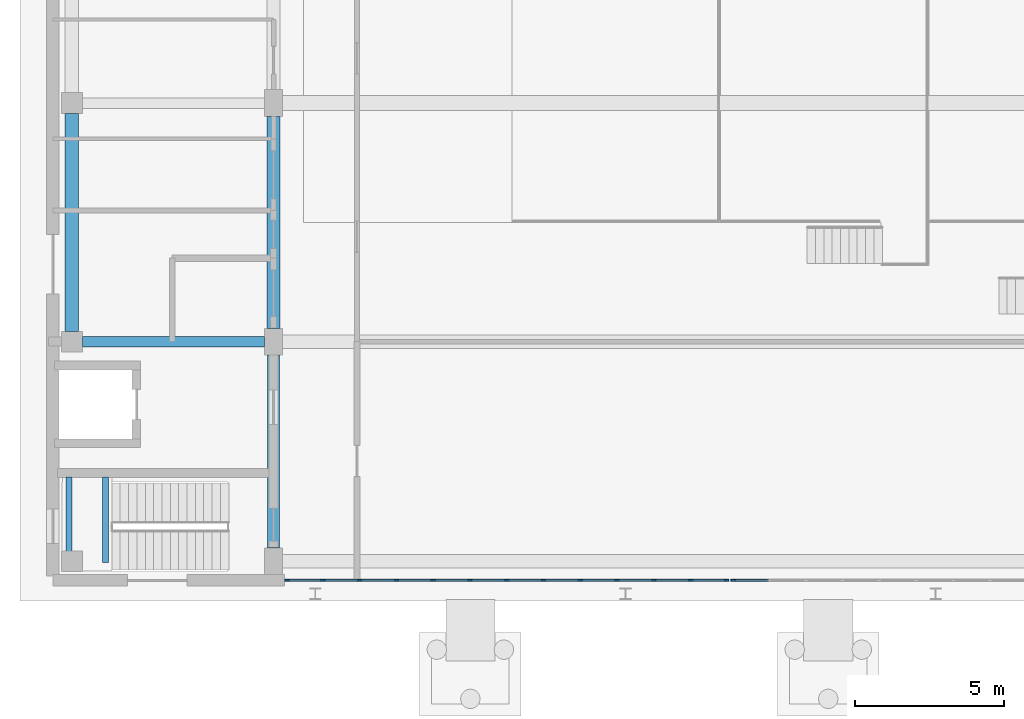
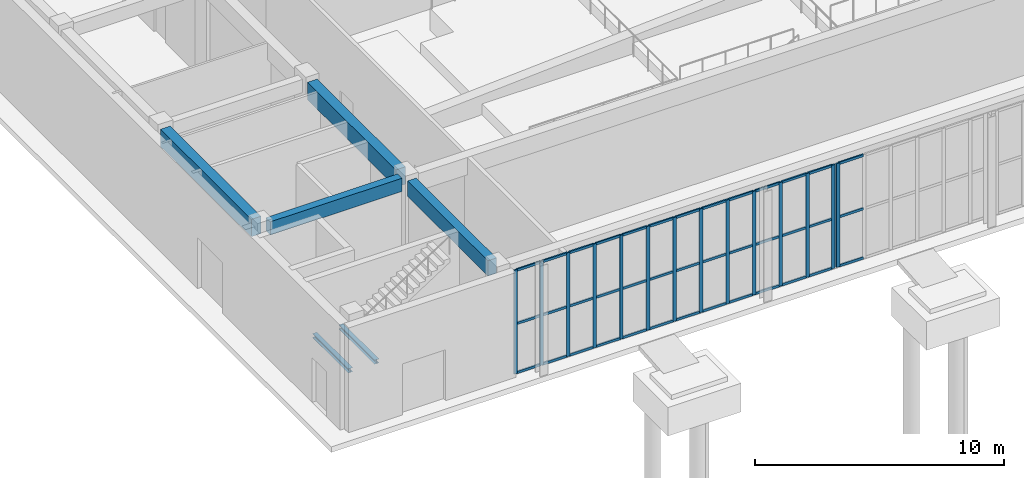
# One storey, part 5 of 46: 53 members, 6 beams, 2 elements without a shape of their own.
"""IFC4 building model written with IfcOpenShell, lengths in metres."""

from ifc_helpers import new_model, si_unit, direction, frame, origin, origin_2d, place, context, subcontext, project, spatial, rectangle, i_section, extrude, material, layer, layer_set, material_profile, profile_set, type_object, element, aggregate, save


model = new_model("IFC4")

# Units and contexts
model_context = context("Model", 3, precision=1e-05, world=origin(), true_north=direction((0.0, 1.0)))
body_context = subcontext(model_context, "Body", "Model", "MODEL_VIEW")
ifc_project = project(units=[si_unit("LENGTHUNIT", "METRE"), si_unit("AREAUNIT", "SQUARE_METRE"), si_unit("VOLUMEUNIT", "CUBIC_METRE"), si_unit("PLANEANGLEUNIT", "RADIAN"), si_unit("MASSUNIT", "GRAM", prefix="KILO")], contexts=[model_context])

# Site, building, storey
site_placement = place(None, origin())
site = spatial("IfcSite", under=ifc_project, at=site_placement, CompositionType="ELEMENT")
building_placement = place(site_placement, origin())
building = spatial("IfcBuilding", under=site, at=building_placement, Name="Cinchona Park Media Centre", CompositionType="ELEMENT")
storey_placement = place(building_placement, origin())
storey = spatial("IfcBuildingStorey", under=building, at=storey_placement, Name="L00", CompositionType="ELEMENT", Elevation=0.0)

# Beams
ifc_material_1 = material(Name="Concrete C35/45", Category="concrete")
ifc_material_profile_1 = material_profile(ifc_material_1, rectangle(XDim=0.39990234375, YDim=0.75, at=origin_2d()), Name="RB 400X750")
ifc_profile_set_1 = profile_set([ifc_material_profile_1], Name="Concrete C35/45")
beam_type_1 = type_object("IfcBeamType", Name="BEAM-B01-RB400X750", PredefinedType="BEAM", material=ifc_profile_set_1)
beam_1_placement = place(storey_placement, frame((15.39990234375, 8.68994140625, 4.764892578125), z_axis=(0.0, 1.0, 0.0), x_axis=(-1.0, 0.0, 0.0)))
element("IfcBeam", 1, at=beam_1_placement, inside=storey, type_object=beam_type_1, Name="Girder B01 L00", PredefinedType="BEAM", context=body_context, shape_type="SweptSolid", body=[
    extrude(rectangle(XDim=0.39990234375, YDim=0.75, at=origin_2d()), origin(), (0.0, 0.0, 1.0), 6.4599609375),
])
ifc_material_2 = material(Name="Concrete C35/45", Category="concrete")
ifc_material_profile_2 = material_profile(ifc_material_2, rectangle(XDim=0.449951171875, YDim=0.85009765625, at=origin_2d()), Name="RB 450X850")
ifc_profile_set_2 = profile_set([ifc_material_profile_2], Name="Concrete C35/45")
beam_type_2 = type_object("IfcBeamType", Name="BEAM-B02-RB450X850", PredefinedType="BEAM", material=ifc_profile_set_2)
beam_2_placement = place(storey_placement, frame((8.639892578125, 15.949951171875, 4.715087890625), z_axis=(0.0, 1.0, 0.0), x_axis=(-1.0, 0.0, 0.0)))
element("IfcBeam", 2, at=beam_2_placement, inside=storey, type_object=beam_type_2, Name="Girder B02 L00", PredefinedType="BEAM", context=body_context, shape_type="SweptSolid", body=[
    extrude(rectangle(XDim=0.449951171875, YDim=0.85009765625, at=origin_2d()), origin(), (0.0, 0.0, 1.0), 7.300048828125),
])
beam_3_placement = place(storey_placement, frame((15.39990234375, 16.050048828125, 4.715087890625), z_axis=(0.0, 1.0, 0.0), x_axis=(-1.0, 0.0, 0.0)))
element("IfcBeam", 3, at=beam_3_placement, inside=storey, type_object=beam_type_2, Name="Girder B02 L00", PredefinedType="BEAM", context=body_context, shape_type="SweptSolid", body=[
    extrude(rectangle(XDim=0.449951171875, YDim=0.85009765625, at=origin_2d()), origin(), (0.0, 0.0, 1.0), 7.099853515625),
])
ifc_material_3 = material(Name="Concrete C35/45", Category="concrete")
ifc_material_profile_3 = material_profile(ifc_material_3, rectangle(XDim=0.35009765625, YDim=0.64990234375, at=origin_2d()), Name="RB 350X650")
ifc_profile_set_3 = profile_set([ifc_material_profile_3], Name="Concrete C35/45")
beam_type_3 = type_object("IfcBeamType", Name="BEAM-B04-RB350X650", PredefinedType="BEAM", material=ifc_profile_set_3)
beam_4_placement = place(storey_placement, frame((8.989990234375, 15.60009765625, 4.81494140625), z_axis=(1.0, 0.0, 0.0), x_axis=(0.0, 1.0, 0.0)))
element("IfcBeam", 4, at=beam_4_placement, inside=storey, type_object=beam_type_3, Name="Beam B04 L00", PredefinedType="BEAM", context=body_context, shape_type="SweptSolid", body=[
    extrude(rectangle(XDim=0.35009765625, YDim=0.64990234375, at=origin_2d()), origin(), (0.0, 0.0, 1.0), 6.110107421875),
])
ifc_material_4 = material(Name="Steel S355", Category="steel")
ifc_material_profile_4 = material_profile(ifc_material_4, i_section(OverallWidth=0.202880859375, OverallDepth=0.202880859375, WebThickness=0.007080078125, FlangeThickness=0.010986328125, at=origin_2d()), Name="W200X46")
ifc_profile_set_4 = profile_set([ifc_material_profile_4], Name="Steel S355")
beam_type_4 = type_object("IfcBeamType", Name="BEAM-B10-W200X46", PredefinedType="BEAM", material=ifc_profile_set_4)
for number, where, z_axis, x_axis, name in (
    (5, (8.5400390625, 11.070068359375, 2.3935546875), (0.0, -1.0, 0.0), (1.0, 0.0, 0.0), "Stair Landing Bearer Beam B10 ST6 L00"),
    (6, (9.760009765625, 11.070068359375, 2.3935546875), (0.0, -1.0, 0.0), (1.0, 0.0, 0.0), "Stair Landing Bearer Beam B10 ST6 L00"),
):
    element("IfcBeam", number, at=place(storey_placement, frame(where, z_axis=z_axis, x_axis=x_axis)), inside=storey, type_object=beam_type_4, Name=name, PredefinedType="BEAM", context=body_context, shape_type="SweptSolid", body=[
        extrude(i_section(OverallWidth=0.202880859375, OverallDepth=0.202880859375, WebThickness=0.007080078125, FlangeThickness=0.010986328125, at=origin_2d()), origin(), (0.0, 0.0, 1.0), 2.8701171875),
    ])

# Curtain wall, member
ifc_material_5 = material(Name="Aluminium Curtain Wall Framing", Category="aluminium")
ifc_layer_1 = layer(ifc_material_5, 0.179931640625)
ifc_layer_set_1 = layer_set([ifc_layer_1], Name="Aluminium Curtain Wall Framing")
curtain_wall_type_1 = type_object("IfcCurtainWallType", Name="CW-CW01", PredefinedType="USERDEFINED", material=ifc_layer_set_1)
curtain_wall_1_placement = place(storey_placement, origin())
curtain_wall_1 = element("IfcCurtainWall", 7, at=curtain_wall_1_placement, inside=storey, type_object=curtain_wall_type_1, Name="Curtain Wall CW01 L00", ObjectType="UNITISED CURTAIN WALL", PredefinedType="USERDEFINED")
ifc_material_6 = material(Name="Anodised Aluminium Alloy 6063-T6", Category="aluminium")
ifc_material_profile_5 = material_profile(ifc_material_6, rectangle(XDim=0.06494140625, YDim=0.159912109375, at=origin_2d()), Name="MUL-65X160")
ifc_profile_set_5 = profile_set([ifc_material_profile_5], Name="Anodised Aluminium Alloy 6063-T6")
member_type_1 = type_object("IfcMemberType", Name="MULLION-MUL01", PredefinedType="MULLION", material=ifc_profile_set_5)
member_1_placement = place(storey_placement, frame((30.8125, 7.60009765625, 0.050048828125), z_axis=(0.0, 0.0, 1.0), x_axis=(0.0, -1.0, 0.0)))
member_1 = element("IfcMember", 8, at=member_1_placement, type_object=member_type_1, Name="CW01 mullion 13", PredefinedType="MULLION", context=body_context, shape_type="SweptSolid", body=[
    extrude(rectangle(XDim=0.06494140625, YDim=0.159912109375, at=origin_2d()), origin(), (0.0, 0.0, 1.0), 5.08984375),
])

# Curtain wall, members
ifc_material_7 = material(Name="Aluminium Curtain Wall Framing", Category="aluminium")
ifc_layer_2 = layer(ifc_material_7, 0.195068359375)
ifc_layer_set_2 = layer_set([ifc_layer_2], Name="Aluminium Curtain Wall Framing")
curtain_wall_type_2 = type_object("IfcCurtainWallType", Name="CW-CW02", PredefinedType="USERDEFINED", material=ifc_layer_set_2)
curtain_wall_2_placement = place(storey_placement, origin())
curtain_wall_2 = element("IfcCurtainWall", 9, at=curtain_wall_2_placement, inside=storey, type_object=curtain_wall_type_2, Name="Curtain Wall CW02 L00", ObjectType="UNITISED CURTAIN WALL", PredefinedType="USERDEFINED")
member_2_placement = place(storey_placement, frame((30.58740234375, 7.60009765625, 0.050048828125), z_axis=(0.0, 0.0, 1.0), x_axis=(0.0, -1.0, 0.0)))
member_2 = element("IfcMember", 10, at=member_2_placement, type_object=member_type_1, Name="CW02 mullion 1", PredefinedType="MULLION", context=body_context, shape_type="SweptSolid", body=[
    extrude(rectangle(XDim=0.06494140625, YDim=0.159912109375, at=origin_2d()), origin(), (0.0, 0.0, 1.0), 5.08984375),
])
member_3_placement = place(storey_placement, frame((29.38671875, 7.60009765625, 0.050048828125), z_axis=(0.0, 0.0, 1.0), x_axis=(0.0, -1.0, 0.0)))
member_3 = element("IfcMember", 11, at=member_3_placement, type_object=member_type_1, Name="CW02 mullion 2", PredefinedType="MULLION", context=body_context, shape_type="SweptSolid", body=[
    extrude(rectangle(XDim=0.06494140625, YDim=0.159912109375, at=origin_2d()), origin(), (0.0, 0.0, 1.0), 5.08984375),
])
member_4_placement = place(storey_placement, frame((28.1533203125, 7.60009765625, 0.050048828125), z_axis=(0.0, 0.0, 1.0), x_axis=(0.0, -1.0, 0.0)))
member_4 = element("IfcMember", 12, at=member_4_placement, type_object=member_type_1, Name="CW02 mullion 3", PredefinedType="MULLION", context=body_context, shape_type="SweptSolid", body=[
    extrude(rectangle(XDim=0.06494140625, YDim=0.159912109375, at=origin_2d()), origin(), (0.0, 0.0, 1.0), 5.08984375),
])
member_5_placement = place(storey_placement, frame((26.919921875, 7.60009765625, 0.050048828125), z_axis=(0.0, 0.0, 1.0), x_axis=(0.0, -1.0, 0.0)))
member_5 = element("IfcMember", 13, at=member_5_placement, type_object=member_type_1, Name="CW02 mullion 4", PredefinedType="MULLION", context=body_context, shape_type="SweptSolid", body=[
    extrude(rectangle(XDim=0.06494140625, YDim=0.159912109375, at=origin_2d()), origin(), (0.0, 0.0, 1.0), 5.08984375),
])
member_6_placement = place(storey_placement, frame((25.686767578125, 7.60009765625, 0.050048828125), z_axis=(0.0, 0.0, 1.0), x_axis=(0.0, -1.0, 0.0)))
member_6 = element("IfcMember", 14, at=member_6_placement, type_object=member_type_1, Name="CW02 mullion 5", PredefinedType="MULLION", context=body_context, shape_type="SweptSolid", body=[
    extrude(rectangle(XDim=0.06494140625, YDim=0.159912109375, at=origin_2d()), origin(), (0.0, 0.0, 1.0), 5.08984375),
])
member_7_placement = place(storey_placement, frame((24.453369140625, 7.60009765625, 0.050048828125), z_axis=(0.0, 0.0, 1.0), x_axis=(0.0, -1.0, 0.0)))
member_7 = element("IfcMember", 15, at=member_7_placement, type_object=member_type_1, Name="CW02 mullion 6", PredefinedType="MULLION", context=body_context, shape_type="SweptSolid", body=[
    extrude(rectangle(XDim=0.06494140625, YDim=0.159912109375, at=origin_2d()), origin(), (0.0, 0.0, 1.0), 5.08984375),
])
member_8_placement = place(storey_placement, frame((23.219970703125, 7.60009765625, 0.050048828125), z_axis=(0.0, 0.0, 1.0), x_axis=(0.0, -1.0, 0.0)))
member_8 = element("IfcMember", 16, at=member_8_placement, type_object=member_type_1, Name="CW02 mullion 7", PredefinedType="MULLION", context=body_context, shape_type="SweptSolid", body=[
    extrude(rectangle(XDim=0.06494140625, YDim=0.159912109375, at=origin_2d()), origin(), (0.0, 0.0, 1.0), 5.08984375),
])
member_9_placement = place(storey_placement, frame((21.986572265625, 7.60009765625, 0.050048828125), z_axis=(0.0, 0.0, 1.0), x_axis=(0.0, -1.0, 0.0)))
member_9 = element("IfcMember", 17, at=member_9_placement, type_object=member_type_1, Name="CW02 mullion 8", PredefinedType="MULLION", context=body_context, shape_type="SweptSolid", body=[
    extrude(rectangle(XDim=0.06494140625, YDim=0.159912109375, at=origin_2d()), origin(), (0.0, 0.0, 1.0), 5.08984375),
])
member_10_placement = place(storey_placement, frame((20.75341796875, 7.60009765625, 0.050048828125), z_axis=(0.0, 0.0, 1.0), x_axis=(0.0, -1.0, 0.0)))
member_10 = element("IfcMember", 18, at=member_10_placement, type_object=member_type_1, Name="CW02 mullion 9", PredefinedType="MULLION", context=body_context, shape_type="SweptSolid", body=[
    extrude(rectangle(XDim=0.06494140625, YDim=0.159912109375, at=origin_2d()), origin(), (0.0, 0.0, 1.0), 5.08984375),
])
member_11_placement = place(storey_placement, frame((19.52001953125, 7.60009765625, 0.050048828125), z_axis=(0.0, 0.0, 1.0), x_axis=(0.0, -1.0, 0.0)))
member_11 = element("IfcMember", 19, at=member_11_placement, type_object=member_type_1, Name="CW02 mullion 10", PredefinedType="MULLION", context=body_context, shape_type="SweptSolid", body=[
    extrude(rectangle(XDim=0.06494140625, YDim=0.159912109375, at=origin_2d()), origin(), (0.0, 0.0, 1.0), 5.08984375),
])
member_12_placement = place(storey_placement, frame((18.28662109375, 7.60009765625, 0.050048828125), z_axis=(0.0, 0.0, 1.0), x_axis=(0.0, -1.0, 0.0)))
member_12 = element("IfcMember", 20, at=member_12_placement, type_object=member_type_1, Name="CW02 mullion 11", PredefinedType="MULLION", context=body_context, shape_type="SweptSolid", body=[
    extrude(rectangle(XDim=0.06494140625, YDim=0.159912109375, at=origin_2d()), origin(), (0.0, 0.0, 1.0), 5.08984375),
])
member_13_placement = place(storey_placement, frame((17.05322265625, 7.60009765625, 0.050048828125), z_axis=(0.0, 0.0, 1.0), x_axis=(0.0, -1.0, 0.0)))
member_13 = element("IfcMember", 21, at=member_13_placement, type_object=member_type_1, Name="CW02 mullion 12", PredefinedType="MULLION", context=body_context, shape_type="SweptSolid", body=[
    extrude(rectangle(XDim=0.06494140625, YDim=0.159912109375, at=origin_2d()), origin(), (0.0, 0.0, 1.0), 5.08984375),
])
member_14_placement = place(storey_placement, frame((15.8525390625, 7.60009765625, 0.050048828125), z_axis=(0.0, 0.0, 1.0), x_axis=(0.0, -1.0, 0.0)))
member_14 = element("IfcMember", 22, at=member_14_placement, type_object=member_type_1, Name="CW02 mullion 13", PredefinedType="MULLION", context=body_context, shape_type="SweptSolid", body=[
    extrude(rectangle(XDim=0.06494140625, YDim=0.159912109375, at=origin_2d()), origin(), (0.0, 0.0, 1.0), 5.08984375),
])

# Member
ifc_material_8 = material(Name="Anodised Aluminium Alloy 6063-T6", Category="aluminium")
ifc_material_profile_6 = material_profile(ifc_material_8, rectangle(XDim=0.06494140625, YDim=0.1201171875, at=origin_2d()), Name="TRN-65X120")
ifc_profile_set_6 = profile_set([ifc_material_profile_6], Name="Anodised Aluminium Alloy 6063-T6")
member_type_2 = type_object("IfcMemberType", Name="TRANSOM-TRN01", PredefinedType="USERDEFINED", material=ifc_profile_set_6)
member_15_placement = place(storey_placement, frame((31.980712890625, 7.60009765625, 0.08251953125), z_axis=(-1.0, 0.0, 0.0), x_axis=(0.0, -1.0, 0.0)))
member_15 = element("IfcMember", 23, at=member_15_placement, type_object=member_type_2, Name="CW01 transom 12.1", ObjectType="TRANSOM", PredefinedType="USERDEFINED", context=body_context, shape_type="SweptSolid", body=[
    extrude(rectangle(XDim=0.06494140625, YDim=0.1201171875, at=origin_2d()), origin(), (0.0, 0.0, 1.0), 1.1357421875),
])

member_16_placement = place(storey_placement, frame((31.980712890625, 7.60009765625, 2.492919921875), z_axis=(-1.0, 0.0, 0.0), x_axis=(0.0, -1.0, 0.0)))
member_16 = element("IfcMember", 24, at=member_16_placement, type_object=member_type_2, Name="CW01 transom 12.2", ObjectType="TRANSOM", PredefinedType="USERDEFINED", context=body_context, shape_type="SweptSolid", body=[
    extrude(rectangle(XDim=0.06494140625, YDim=0.1201171875, at=origin_2d()), origin(), (0.0, 0.0, 1.0), 1.1357421875),
])

member_17_placement = place(storey_placement, frame((31.980712890625, 7.60009765625, 5.107421875), z_axis=(-1.0, 0.0, 0.0), x_axis=(0.0, -1.0, 0.0)))
member_17 = element("IfcMember", 25, at=member_17_placement, type_object=member_type_2, Name="CW01 transom 12.3", ObjectType="TRANSOM", PredefinedType="USERDEFINED", context=body_context, shape_type="SweptSolid", body=[
    extrude(rectangle(XDim=0.06494140625, YDim=0.1201171875, at=origin_2d()), origin(), (0.0, 0.0, 1.0), 1.1357421875),
])

aggregate(curtain_wall_1, [member_1, member_15, member_16, member_17])

member_18_placement = place(storey_placement, frame((30.554931640625, 7.60009765625, 0.08251953125), z_axis=(-1.0, 0.0, 0.0), x_axis=(0.0, -1.0, 0.0)))
member_18 = element("IfcMember", 26, at=member_18_placement, type_object=member_type_2, Name="CW02 transom 1.1", ObjectType="TRANSOM", PredefinedType="USERDEFINED", context=body_context, shape_type="SweptSolid", body=[
    extrude(rectangle(XDim=0.06494140625, YDim=0.1201171875, at=origin_2d()), origin(), (0.0, 0.0, 1.0), 1.1357421875),
])

member_19_placement = place(storey_placement, frame((30.554931640625, 7.60009765625, 2.492919921875), z_axis=(-1.0, 0.0, 0.0), x_axis=(0.0, -1.0, 0.0)))
member_19 = element("IfcMember", 27, at=member_19_placement, type_object=member_type_2, Name="CW02 transom 1.2", ObjectType="TRANSOM", PredefinedType="USERDEFINED", context=body_context, shape_type="SweptSolid", body=[
    extrude(rectangle(XDim=0.06494140625, YDim=0.1201171875, at=origin_2d()), origin(), (0.0, 0.0, 1.0), 1.1357421875),
])

member_20_placement = place(storey_placement, frame((30.554931640625, 7.60009765625, 5.107421875), z_axis=(-1.0, 0.0, 0.0), x_axis=(0.0, -1.0, 0.0)))
member_20 = element("IfcMember", 28, at=member_20_placement, type_object=member_type_2, Name="CW02 transom 1.3", ObjectType="TRANSOM", PredefinedType="USERDEFINED", context=body_context, shape_type="SweptSolid", body=[
    extrude(rectangle(XDim=0.06494140625, YDim=0.1201171875, at=origin_2d()), origin(), (0.0, 0.0, 1.0), 1.1357421875),
])

member_21_placement = place(storey_placement, frame((29.354248046875, 7.60009765625, 0.08251953125), z_axis=(-1.0, 0.0, 0.0), x_axis=(0.0, -1.0, 0.0)))
member_21 = element("IfcMember", 29, at=member_21_placement, type_object=member_type_2, Name="CW02 transom 2.1", ObjectType="TRANSOM", PredefinedType="USERDEFINED", context=body_context, shape_type="SweptSolid", body=[
    extrude(rectangle(XDim=0.06494140625, YDim=0.1201171875, at=origin_2d()), origin(), (0.0, 0.0, 1.0), 1.16845703125),
])

member_22_placement = place(storey_placement, frame((29.354248046875, 7.60009765625, 2.492919921875), z_axis=(-1.0, 0.0, 0.0), x_axis=(0.0, -1.0, 0.0)))
member_22 = element("IfcMember", 30, at=member_22_placement, type_object=member_type_2, Name="CW02 transom 2.2", ObjectType="TRANSOM", PredefinedType="USERDEFINED", context=body_context, shape_type="SweptSolid", body=[
    extrude(rectangle(XDim=0.06494140625, YDim=0.1201171875, at=origin_2d()), origin(), (0.0, 0.0, 1.0), 1.16845703125),
])

member_23_placement = place(storey_placement, frame((29.354248046875, 7.60009765625, 5.107421875), z_axis=(-1.0, 0.0, 0.0), x_axis=(0.0, -1.0, 0.0)))
member_23 = element("IfcMember", 31, at=member_23_placement, type_object=member_type_2, Name="CW02 transom 2.3", ObjectType="TRANSOM", PredefinedType="USERDEFINED", context=body_context, shape_type="SweptSolid", body=[
    extrude(rectangle(XDim=0.06494140625, YDim=0.1201171875, at=origin_2d()), origin(), (0.0, 0.0, 1.0), 1.16845703125),
])

member_24_placement = place(storey_placement, frame((28.120849609375, 7.60009765625, 0.08251953125), z_axis=(-1.0, 0.0, 0.0), x_axis=(0.0, -1.0, 0.0)))
member_24 = element("IfcMember", 32, at=member_24_placement, type_object=member_type_2, Name="CW02 transom 3.1", ObjectType="TRANSOM", PredefinedType="USERDEFINED", context=body_context, shape_type="SweptSolid", body=[
    extrude(rectangle(XDim=0.06494140625, YDim=0.1201171875, at=origin_2d()), origin(), (0.0, 0.0, 1.0), 1.16845703125),
])

member_25_placement = place(storey_placement, frame((28.120849609375, 7.60009765625, 2.492919921875), z_axis=(-1.0, 0.0, 0.0), x_axis=(0.0, -1.0, 0.0)))
member_25 = element("IfcMember", 33, at=member_25_placement, type_object=member_type_2, Name="CW02 transom 3.2", ObjectType="TRANSOM", PredefinedType="USERDEFINED", context=body_context, shape_type="SweptSolid", body=[
    extrude(rectangle(XDim=0.06494140625, YDim=0.1201171875, at=origin_2d()), origin(), (0.0, 0.0, 1.0), 1.16845703125),
])

member_26_placement = place(storey_placement, frame((28.120849609375, 7.60009765625, 5.107421875), z_axis=(-1.0, 0.0, 0.0), x_axis=(0.0, -1.0, 0.0)))
member_26 = element("IfcMember", 34, at=member_26_placement, type_object=member_type_2, Name="CW02 transom 3.3", ObjectType="TRANSOM", PredefinedType="USERDEFINED", context=body_context, shape_type="SweptSolid", body=[
    extrude(rectangle(XDim=0.06494140625, YDim=0.1201171875, at=origin_2d()), origin(), (0.0, 0.0, 1.0), 1.16845703125),
])

member_27_placement = place(storey_placement, frame((26.887451171875, 7.60009765625, 0.08251953125), z_axis=(-1.0, 0.0, 0.0), x_axis=(0.0, -1.0, 0.0)))
member_27 = element("IfcMember", 35, at=member_27_placement, type_object=member_type_2, Name="CW02 transom 4.1", ObjectType="TRANSOM", PredefinedType="USERDEFINED", context=body_context, shape_type="SweptSolid", body=[
    extrude(rectangle(XDim=0.06494140625, YDim=0.1201171875, at=origin_2d()), origin(), (0.0, 0.0, 1.0), 1.168212890625),
])

member_28_placement = place(storey_placement, frame((26.887451171875, 7.60009765625, 2.492919921875), z_axis=(-1.0, 0.0, 0.0), x_axis=(0.0, -1.0, 0.0)))
member_28 = element("IfcMember", 36, at=member_28_placement, type_object=member_type_2, Name="CW02 transom 4.2", ObjectType="TRANSOM", PredefinedType="USERDEFINED", context=body_context, shape_type="SweptSolid", body=[
    extrude(rectangle(XDim=0.06494140625, YDim=0.1201171875, at=origin_2d()), origin(), (0.0, 0.0, 1.0), 1.168212890625),
])

member_29_placement = place(storey_placement, frame((26.887451171875, 7.60009765625, 5.107421875), z_axis=(-1.0, 0.0, 0.0), x_axis=(0.0, -1.0, 0.0)))
member_29 = element("IfcMember", 37, at=member_29_placement, type_object=member_type_2, Name="CW02 transom 4.3", ObjectType="TRANSOM", PredefinedType="USERDEFINED", context=body_context, shape_type="SweptSolid", body=[
    extrude(rectangle(XDim=0.06494140625, YDim=0.1201171875, at=origin_2d()), origin(), (0.0, 0.0, 1.0), 1.168212890625),
])

member_30_placement = place(storey_placement, frame((25.654052734375, 7.60009765625, 0.08251953125), z_axis=(-1.0, 0.0, 0.0), x_axis=(0.0, -1.0, 0.0)))
member_30 = element("IfcMember", 38, at=member_30_placement, type_object=member_type_2, Name="CW02 transom 5.1", ObjectType="TRANSOM", PredefinedType="USERDEFINED", context=body_context, shape_type="SweptSolid", body=[
    extrude(rectangle(XDim=0.06494140625, YDim=0.1201171875, at=origin_2d()), origin(), (0.0, 0.0, 1.0), 1.168212890625),
])

member_31_placement = place(storey_placement, frame((25.654052734375, 7.60009765625, 2.492919921875), z_axis=(-1.0, 0.0, 0.0), x_axis=(0.0, -1.0, 0.0)))
member_31 = element("IfcMember", 39, at=member_31_placement, type_object=member_type_2, Name="CW02 transom 5.2", ObjectType="TRANSOM", PredefinedType="USERDEFINED", context=body_context, shape_type="SweptSolid", body=[
    extrude(rectangle(XDim=0.06494140625, YDim=0.1201171875, at=origin_2d()), origin(), (0.0, 0.0, 1.0), 1.168212890625),
])

member_32_placement = place(storey_placement, frame((25.654052734375, 7.60009765625, 5.107421875), z_axis=(-1.0, 0.0, 0.0), x_axis=(0.0, -1.0, 0.0)))
member_32 = element("IfcMember", 40, at=member_32_placement, type_object=member_type_2, Name="CW02 transom 5.3", ObjectType="TRANSOM", PredefinedType="USERDEFINED", context=body_context, shape_type="SweptSolid", body=[
    extrude(rectangle(XDim=0.06494140625, YDim=0.1201171875, at=origin_2d()), origin(), (0.0, 0.0, 1.0), 1.168212890625),
])

member_33_placement = place(storey_placement, frame((24.4208984375, 7.60009765625, 0.08251953125), z_axis=(-1.0, 0.0, 0.0), x_axis=(0.0, -1.0, 0.0)))
member_33 = element("IfcMember", 41, at=member_33_placement, type_object=member_type_2, Name="CW02 transom 6.1", ObjectType="TRANSOM", PredefinedType="USERDEFINED", context=body_context, shape_type="SweptSolid", body=[
    extrude(rectangle(XDim=0.06494140625, YDim=0.1201171875, at=origin_2d()), origin(), (0.0, 0.0, 1.0), 1.16845703125),
])

member_34_placement = place(storey_placement, frame((24.4208984375, 7.60009765625, 2.492919921875), z_axis=(-1.0, 0.0, 0.0), x_axis=(0.0, -1.0, 0.0)))
member_34 = element("IfcMember", 42, at=member_34_placement, type_object=member_type_2, Name="CW02 transom 6.2", ObjectType="TRANSOM", PredefinedType="USERDEFINED", context=body_context, shape_type="SweptSolid", body=[
    extrude(rectangle(XDim=0.06494140625, YDim=0.1201171875, at=origin_2d()), origin(), (0.0, 0.0, 1.0), 1.16845703125),
])

member_35_placement = place(storey_placement, frame((24.4208984375, 7.60009765625, 5.107421875), z_axis=(-1.0, 0.0, 0.0), x_axis=(0.0, -1.0, 0.0)))
member_35 = element("IfcMember", 43, at=member_35_placement, type_object=member_type_2, Name="CW02 transom 6.3", ObjectType="TRANSOM", PredefinedType="USERDEFINED", context=body_context, shape_type="SweptSolid", body=[
    extrude(rectangle(XDim=0.06494140625, YDim=0.1201171875, at=origin_2d()), origin(), (0.0, 0.0, 1.0), 1.16845703125),
])

member_36_placement = place(storey_placement, frame((23.1875, 7.60009765625, 0.08251953125), z_axis=(-1.0, 0.0, 0.0), x_axis=(0.0, -1.0, 0.0)))
member_36 = element("IfcMember", 44, at=member_36_placement, type_object=member_type_2, Name="CW02 transom 7.1", ObjectType="TRANSOM", PredefinedType="USERDEFINED", context=body_context, shape_type="SweptSolid", body=[
    extrude(rectangle(XDim=0.06494140625, YDim=0.1201171875, at=origin_2d()), origin(), (0.0, 0.0, 1.0), 1.168212890625),
])

member_37_placement = place(storey_placement, frame((23.1875, 7.60009765625, 2.492919921875), z_axis=(-1.0, 0.0, 0.0), x_axis=(0.0, -1.0, 0.0)))
member_37 = element("IfcMember", 45, at=member_37_placement, type_object=member_type_2, Name="CW02 transom 7.2", ObjectType="TRANSOM", PredefinedType="USERDEFINED", context=body_context, shape_type="SweptSolid", body=[
    extrude(rectangle(XDim=0.06494140625, YDim=0.1201171875, at=origin_2d()), origin(), (0.0, 0.0, 1.0), 1.168212890625),
])

member_38_placement = place(storey_placement, frame((23.1875, 7.60009765625, 5.107421875), z_axis=(-1.0, 0.0, 0.0), x_axis=(0.0, -1.0, 0.0)))
member_38 = element("IfcMember", 46, at=member_38_placement, type_object=member_type_2, Name="CW02 transom 7.3", ObjectType="TRANSOM", PredefinedType="USERDEFINED", context=body_context, shape_type="SweptSolid", body=[
    extrude(rectangle(XDim=0.06494140625, YDim=0.1201171875, at=origin_2d()), origin(), (0.0, 0.0, 1.0), 1.168212890625),
])

member_39_placement = place(storey_placement, frame((21.9541015625, 7.60009765625, 0.08251953125), z_axis=(-1.0, 0.0, 0.0), x_axis=(0.0, -1.0, 0.0)))
member_39 = element("IfcMember", 47, at=member_39_placement, type_object=member_type_2, Name="CW02 transom 8.1", ObjectType="TRANSOM", PredefinedType="USERDEFINED", context=body_context, shape_type="SweptSolid", body=[
    extrude(rectangle(XDim=0.06494140625, YDim=0.1201171875, at=origin_2d()), origin(), (0.0, 0.0, 1.0), 1.168212890625),
])

member_40_placement = place(storey_placement, frame((21.9541015625, 7.60009765625, 2.492919921875), z_axis=(-1.0, 0.0, 0.0), x_axis=(0.0, -1.0, 0.0)))
member_40 = element("IfcMember", 48, at=member_40_placement, type_object=member_type_2, Name="CW02 transom 8.2", ObjectType="TRANSOM", PredefinedType="USERDEFINED", context=body_context, shape_type="SweptSolid", body=[
    extrude(rectangle(XDim=0.06494140625, YDim=0.1201171875, at=origin_2d()), origin(), (0.0, 0.0, 1.0), 1.168212890625),
])

member_41_placement = place(storey_placement, frame((21.9541015625, 7.60009765625, 5.107421875), z_axis=(-1.0, 0.0, 0.0), x_axis=(0.0, -1.0, 0.0)))
member_41 = element("IfcMember", 49, at=member_41_placement, type_object=member_type_2, Name="CW02 transom 8.3", ObjectType="TRANSOM", PredefinedType="USERDEFINED", context=body_context, shape_type="SweptSolid", body=[
    extrude(rectangle(XDim=0.06494140625, YDim=0.1201171875, at=origin_2d()), origin(), (0.0, 0.0, 1.0), 1.168212890625),
])

member_42_placement = place(storey_placement, frame((20.720947265625, 7.60009765625, 0.08251953125), z_axis=(-1.0, 0.0, 0.0), x_axis=(0.0, -1.0, 0.0)))
member_42 = element("IfcMember", 50, at=member_42_placement, type_object=member_type_2, Name="CW02 transom 9.1", ObjectType="TRANSOM", PredefinedType="USERDEFINED", context=body_context, shape_type="SweptSolid", body=[
    extrude(rectangle(XDim=0.06494140625, YDim=0.1201171875, at=origin_2d()), origin(), (0.0, 0.0, 1.0), 1.16845703125),
])

member_43_placement = place(storey_placement, frame((20.720947265625, 7.60009765625, 2.492919921875), z_axis=(-1.0, 0.0, 0.0), x_axis=(0.0, -1.0, 0.0)))
member_43 = element("IfcMember", 51, at=member_43_placement, type_object=member_type_2, Name="CW02 transom 9.2", ObjectType="TRANSOM", PredefinedType="USERDEFINED", context=body_context, shape_type="SweptSolid", body=[
    extrude(rectangle(XDim=0.06494140625, YDim=0.1201171875, at=origin_2d()), origin(), (0.0, 0.0, 1.0), 1.16845703125),
])

member_44_placement = place(storey_placement, frame((20.720947265625, 7.60009765625, 5.107421875), z_axis=(-1.0, 0.0, 0.0), x_axis=(0.0, -1.0, 0.0)))
member_44 = element("IfcMember", 52, at=member_44_placement, type_object=member_type_2, Name="CW02 transom 9.3", ObjectType="TRANSOM", PredefinedType="USERDEFINED", context=body_context, shape_type="SweptSolid", body=[
    extrude(rectangle(XDim=0.06494140625, YDim=0.1201171875, at=origin_2d()), origin(), (0.0, 0.0, 1.0), 1.16845703125),
])

member_45_placement = place(storey_placement, frame((19.487548828125, 7.60009765625, 0.08251953125), z_axis=(-1.0, 0.0, 0.0), x_axis=(0.0, -1.0, 0.0)))
member_45 = element("IfcMember", 53, at=member_45_placement, type_object=member_type_2, Name="CW02 transom 10.1", ObjectType="TRANSOM", PredefinedType="USERDEFINED", context=body_context, shape_type="SweptSolid", body=[
    extrude(rectangle(XDim=0.06494140625, YDim=0.1201171875, at=origin_2d()), origin(), (0.0, 0.0, 1.0), 1.16845703125),
])

member_46_placement = place(storey_placement, frame((19.487548828125, 7.60009765625, 2.492919921875), z_axis=(-1.0, 0.0, 0.0), x_axis=(0.0, -1.0, 0.0)))
member_46 = element("IfcMember", 54, at=member_46_placement, type_object=member_type_2, Name="CW02 transom 10.2", ObjectType="TRANSOM", PredefinedType="USERDEFINED", context=body_context, shape_type="SweptSolid", body=[
    extrude(rectangle(XDim=0.06494140625, YDim=0.1201171875, at=origin_2d()), origin(), (0.0, 0.0, 1.0), 1.16845703125),
])

member_47_placement = place(storey_placement, frame((19.487548828125, 7.60009765625, 5.107421875), z_axis=(-1.0, 0.0, 0.0), x_axis=(0.0, -1.0, 0.0)))
member_47 = element("IfcMember", 55, at=member_47_placement, type_object=member_type_2, Name="CW02 transom 10.3", ObjectType="TRANSOM", PredefinedType="USERDEFINED", context=body_context, shape_type="SweptSolid", body=[
    extrude(rectangle(XDim=0.06494140625, YDim=0.1201171875, at=origin_2d()), origin(), (0.0, 0.0, 1.0), 1.16845703125),
])

member_48_placement = place(storey_placement, frame((18.254150390625, 7.60009765625, 0.08251953125), z_axis=(-1.0, 0.0, 0.0), x_axis=(0.0, -1.0, 0.0)))
member_48 = element("IfcMember", 56, at=member_48_placement, type_object=member_type_2, Name="CW02 transom 11.1", ObjectType="TRANSOM", PredefinedType="USERDEFINED", context=body_context, shape_type="SweptSolid", body=[
    extrude(rectangle(XDim=0.06494140625, YDim=0.1201171875, at=origin_2d()), origin(), (0.0, 0.0, 1.0), 1.168212890625),
])

member_49_placement = place(storey_placement, frame((18.254150390625, 7.60009765625, 2.492919921875), z_axis=(-1.0, 0.0, 0.0), x_axis=(0.0, -1.0, 0.0)))
member_49 = element("IfcMember", 57, at=member_49_placement, type_object=member_type_2, Name="CW02 transom 11.2", ObjectType="TRANSOM", PredefinedType="USERDEFINED", context=body_context, shape_type="SweptSolid", body=[
    extrude(rectangle(XDim=0.06494140625, YDim=0.1201171875, at=origin_2d()), origin(), (0.0, 0.0, 1.0), 1.168212890625),
])

member_50_placement = place(storey_placement, frame((18.254150390625, 7.60009765625, 5.107421875), z_axis=(-1.0, 0.0, 0.0), x_axis=(0.0, -1.0, 0.0)))
member_50 = element("IfcMember", 58, at=member_50_placement, type_object=member_type_2, Name="CW02 transom 11.3", ObjectType="TRANSOM", PredefinedType="USERDEFINED", context=body_context, shape_type="SweptSolid", body=[
    extrude(rectangle(XDim=0.06494140625, YDim=0.1201171875, at=origin_2d()), origin(), (0.0, 0.0, 1.0), 1.168212890625),
])

member_51_placement = place(storey_placement, frame((17.020751953125, 7.60009765625, 0.08251953125), z_axis=(-1.0, 0.0, 0.0), x_axis=(0.0, -1.0, 0.0)))
member_51 = element("IfcMember", 59, at=member_51_placement, type_object=member_type_2, Name="CW02 transom 12.1", ObjectType="TRANSOM", PredefinedType="USERDEFINED", context=body_context, shape_type="SweptSolid", body=[
    extrude(rectangle(XDim=0.06494140625, YDim=0.1201171875, at=origin_2d()), origin(), (0.0, 0.0, 1.0), 1.1357421875),
])

member_52_placement = place(storey_placement, frame((17.020751953125, 7.60009765625, 2.492919921875), z_axis=(-1.0, 0.0, 0.0), x_axis=(0.0, -1.0, 0.0)))
member_52 = element("IfcMember", 60, at=member_52_placement, type_object=member_type_2, Name="CW02 transom 12.2", ObjectType="TRANSOM", PredefinedType="USERDEFINED", context=body_context, shape_type="SweptSolid", body=[
    extrude(rectangle(XDim=0.06494140625, YDim=0.1201171875, at=origin_2d()), origin(), (0.0, 0.0, 1.0), 1.1357421875),
])

member_53_placement = place(storey_placement, frame((17.020751953125, 7.60009765625, 5.107421875), z_axis=(-1.0, 0.0, 0.0), x_axis=(0.0, -1.0, 0.0)))
member_53 = element("IfcMember", 61, at=member_53_placement, type_object=member_type_2, Name="CW02 transom 12.3", ObjectType="TRANSOM", PredefinedType="USERDEFINED", context=body_context, shape_type="SweptSolid", body=[
    extrude(rectangle(XDim=0.06494140625, YDim=0.1201171875, at=origin_2d()), origin(), (0.0, 0.0, 1.0), 1.1357421875),
])

aggregate(curtain_wall_2, [member_2, member_3, member_4, member_5, member_6, member_7, member_8, member_9, member_10, member_11, member_12, member_13, member_14, member_18, member_19, member_20, member_21, member_22, member_23, member_24, member_25, member_26, member_27, member_28, member_29, member_30, member_31, member_32, member_33, member_34, member_35, member_36, member_37, member_38, member_39, member_40, member_41, member_42, member_43, member_44, member_45, member_46, member_47, member_48, member_49, member_50, member_51, member_52, member_53])

save(model, "model.ifc")
